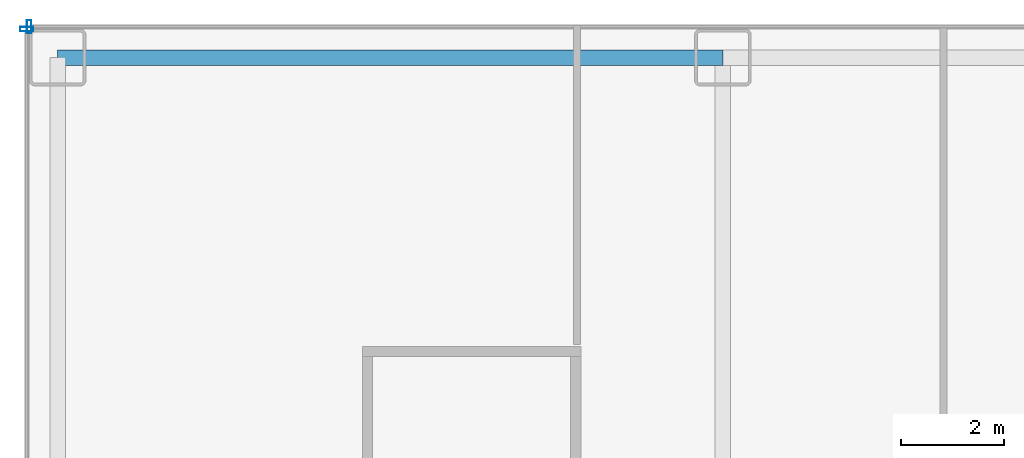
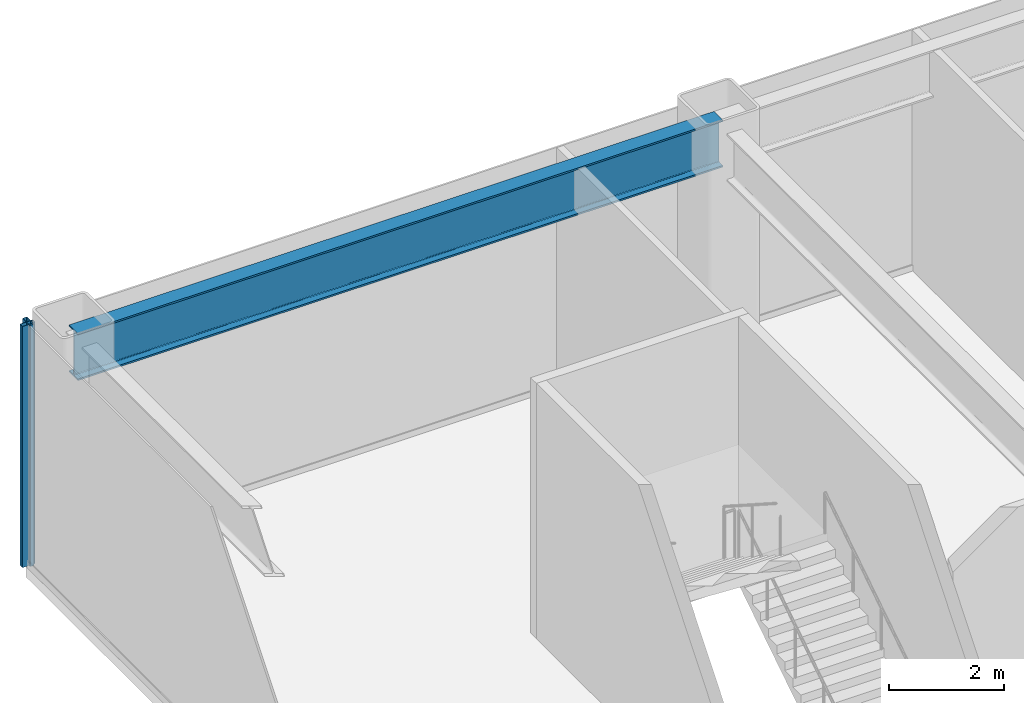
# One storey, part 8 of 24: 2 members, 1 beam, 2 elements without a shape of their own.
"""IFC4 building model written with IfcOpenShell, lengths in metres."""

from ifc_helpers import new_model, si_unit, direction, frame, origin, origin_2d, place, context, subcontext, project, spatial, hollow_rectangle, i_section, extrude, source, transform, mapped, material, layer, layer_set, material_profile, profile_set, type_object, element, aggregate, save


model = new_model("IFC4")

# Units and contexts
model_context = context("Model", 3, precision=1e-05, world=origin(), true_north=direction((0.0, 1.0)))
body_context = subcontext(model_context, "Body", "Model", "MODEL_VIEW")
ifc_project = project(units=[si_unit("LENGTHUNIT", "METRE"), si_unit("AREAUNIT", "SQUARE_METRE"), si_unit("VOLUMEUNIT", "CUBIC_METRE"), si_unit("PLANEANGLEUNIT", "RADIAN"), si_unit("MASSUNIT", "GRAM", prefix="KILO")], contexts=[model_context])

# Site, building, storey
site_placement = place(None, origin())
site = spatial("IfcSite", under=ifc_project, at=site_placement, CompositionType="ELEMENT")
building_placement = place(site_placement, origin())
building = spatial("IfcBuilding", under=site, at=building_placement, Name="Nefas-Gora Pilgrimage Tower", CompositionType="ELEMENT")
storey_placement = place(building_placement, frame((0.0, 0.0, 11.39990234375)))
storey = spatial("IfcBuildingStorey", under=building, at=storey_placement, Name="L02", CompositionType="ELEMENT", Elevation=11.39990234375)

# Beam
ifc_material_1 = material(Name="Steel S460", Category="steel")
ifc_material_profile_1 = material_profile(ifc_material_1, i_section(OverallWidth=0.300048828125, OverallDepth=1.0, WebThickness=0.01904296875, FlangeThickness=0.035888671875, FilletRadius=0.030029296875, at=origin_2d()), Name="HEB 1000")
ifc_profile_set_1 = profile_set([ifc_material_profile_1], Name="Steel S460")
beam_type = type_object("IfcBeamType", Name="BM-POD-HEB1000E", PredefinedType="BEAM", material=ifc_profile_set_1)
shared_shape_1 = source(origin(), body_context, "Body", "SweptSolid", [
    extrude(i_section(OverallWidth=0.300048828125, OverallDepth=1.0, WebThickness=0.01904296875, FlangeThickness=0.035888671875, FilletRadius=0.030029296875, at=origin_2d()), origin(), (0.0, 0.0, 1.0), 12.89990234375),
])
beam_placement = place(storey_placement, frame((-37.64990234375, 24.60009765625, 4.60009765625), z_axis=(1.0, 0.0, 0.0), x_axis=(0.0, 1.0, 0.0)))
element("IfcBeam", 1, at=beam_placement, inside=storey, type_object=beam_type, Name="L02 PG-01E beam", PredefinedType="BEAM", context=body_context, shape_type="MappedRepresentation", body=[
    mapped(shared_shape_1, transform((0.0, 0.0, 0.0), x_axis=(1.0, 0.0, 0.0), y_axis=(0.0, 1.0, 0.0), z_axis=(0.0, 0.0, 1.0), scale=1.0)),
])

# Curtain wall, member
ifc_material_2 = material(Name="Dark ceramic-fritted solar-control aluminium-glass curtain wall", Category="aluminium")
ifc_layer = layer(ifc_material_2, 0.219970703125)
ifc_layer_set = layer_set([ifc_layer], Name="Dark ceramic-fritted solar-control aluminium-glass curtain wall")
curtain_wall_type = type_object("IfcCurtainWallType", Name="CW-SYS-1", PredefinedType="NOTDEFINED", material=ifc_layer_set)
curtain_wall_1_placement = place(storey_placement, origin())
curtain_wall_1 = element("IfcCurtainWall", 2, at=curtain_wall_1_placement, inside=storey, type_object=curtain_wall_type, Name="L02 Unitised Curtain Wall CW1", PredefinedType="NOTDEFINED")
ifc_material_3 = material(Name="Anodised architectural aluminium", Category="aluminium")
ifc_material_profile_2 = material_profile(ifc_material_3, hollow_rectangle(XDim=0.090087890625, YDim=0.260009765625, WallThickness=0.006103515625, InnerFilletRadius=0.006103515625, OuterFilletRadius=0.011962890625, at=origin_2d()), Name="ALU MULLION 90x260")
ifc_profile_set_2 = profile_set([ifc_material_profile_2], Name="Anodised architectural aluminium")
member_type = type_object("IfcMemberType", Name="CWM-MUL-1", PredefinedType="MULLION", material=ifc_profile_set_2)
shared_shape_2 = source(origin(), body_context, "Body", "SweptSolid", [
    extrude(hollow_rectangle(XDim=0.090087890625, YDim=0.260009765625, WallThickness=0.006103515625, InnerFilletRadius=0.006103515625, OuterFilletRadius=0.011962890625, at=origin_2d()), origin(), (0.0, 0.0, 1.0), 5.10009765625),
])
member_1_placement = place(storey_placement, frame((-38.205078125, 25.199951171875, 0.0), z_axis=(0.0, 0.0, 1.0), x_axis=(-1.0, 0.0, 0.0)))
member_1 = element("IfcMember", 3, at=member_1_placement, type_object=member_type, Name="CW1 Mullion 3", PredefinedType="MULLION", context=body_context, shape_type="MappedRepresentation", body=[
    mapped(shared_shape_2, transform((0.0, 0.0, 0.0), x_axis=(1.0, 0.0, 0.0), y_axis=(0.0, 1.0, 0.0), z_axis=(0.0, 0.0, 1.0), scale=1.0)),
])
aggregate(curtain_wall_1, [member_1])

curtain_wall_2_placement = place(storey_placement, origin())
curtain_wall_2 = element("IfcCurtainWall", 4, at=curtain_wall_2_placement, inside=storey, type_object=curtain_wall_type, Name="L02 Unitised Curtain Wall CW1", PredefinedType="NOTDEFINED")
member_2_placement = place(storey_placement, frame((-38.25, 25.155029296875, 0.0), z_axis=(0.0, 0.0, 1.0), x_axis=(0.0, -1.0, 0.0)))
member_2 = element("IfcMember", 5, at=member_2_placement, type_object=member_type, Name="CW1 Mullion 1", PredefinedType="MULLION", context=body_context, shape_type="MappedRepresentation", body=[
    mapped(shared_shape_2, transform((0.0, 0.0, 0.0), x_axis=(1.0, 0.0, 0.0), y_axis=(0.0, 1.0, 0.0), z_axis=(0.0, 0.0, 1.0), scale=1.0)),
])
aggregate(curtain_wall_2, [member_2])

save(model, "model.ifc")
